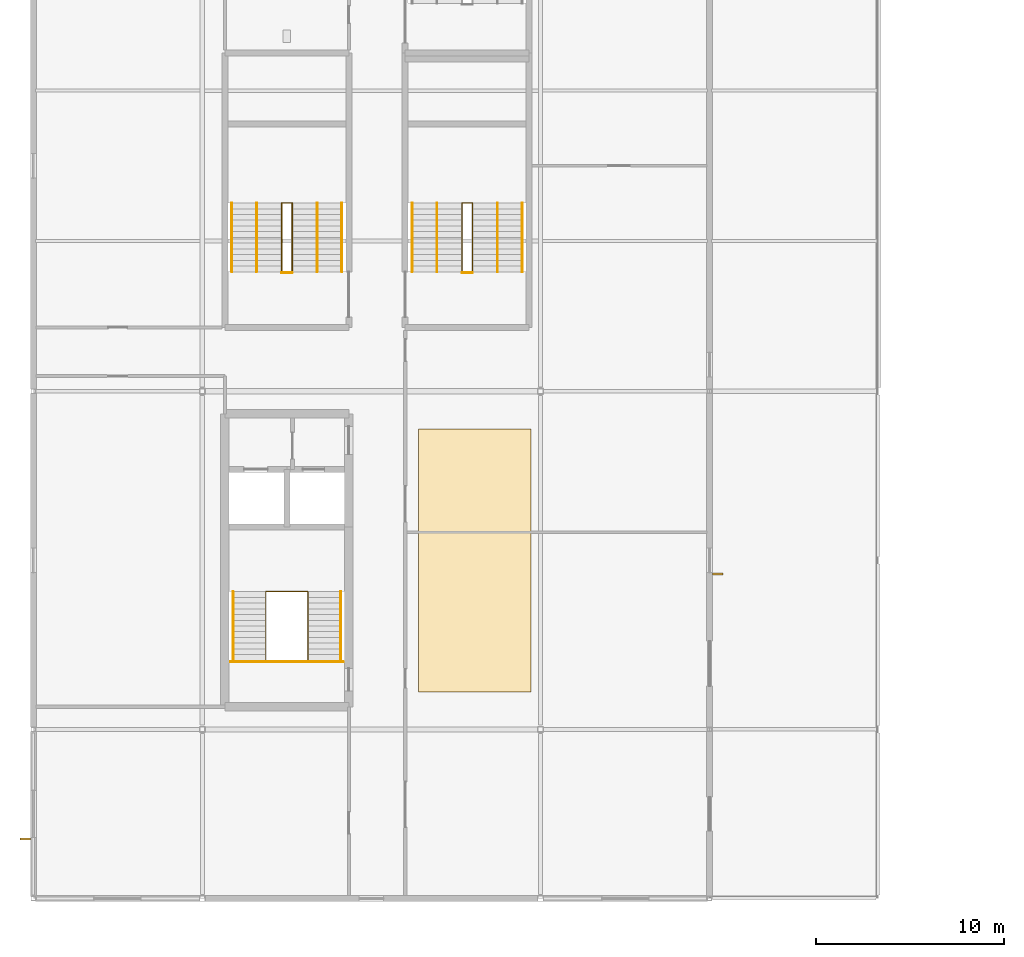
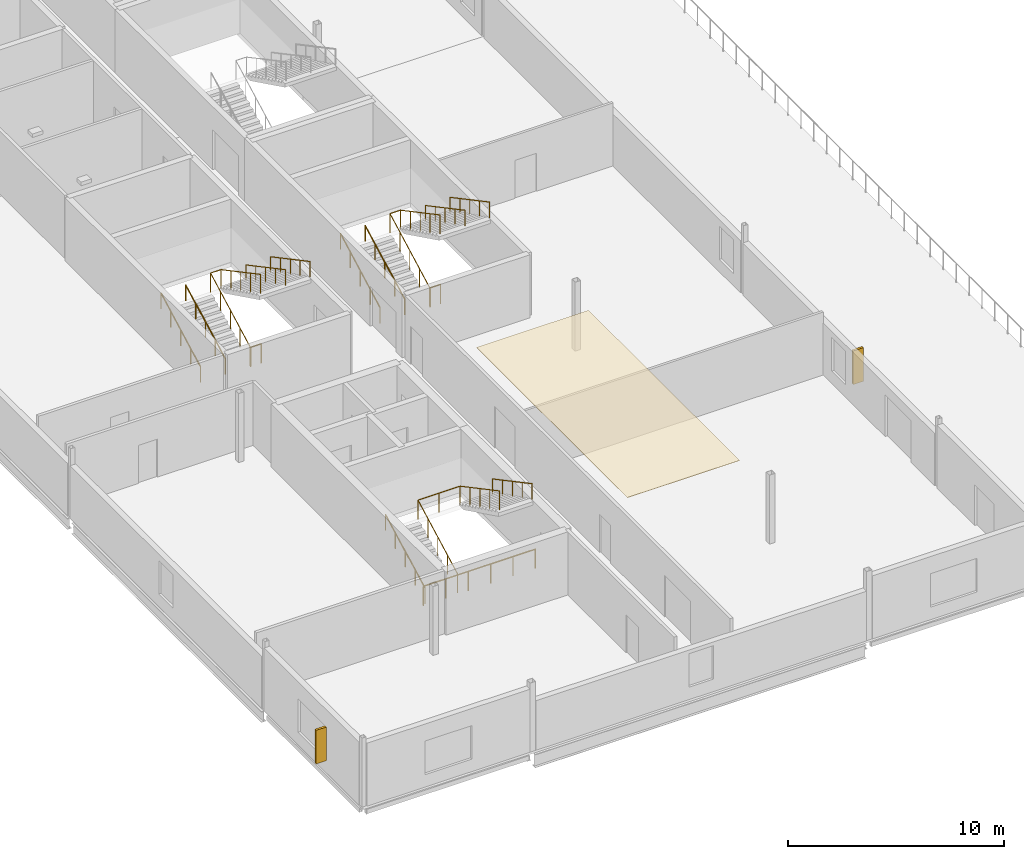
# One storey, part 47 of 55: 16 railings, 2 shading devices, 1 covering.
"""IFC4 building model written with IfcOpenShell, lengths in metres."""

from ifc_helpers import new_model, si_unit, direction, frame, origin, origin_2d, place, context, subcontext, project, spatial, polyline, rectangle, circle, outline, extrude, material, layer, layer_set, type_object, element, save


model = new_model("IFC4")

# Units and contexts
model_context = context("Model", 3, precision=1e-05, world=origin(), true_north=direction((0.0, 1.0)))
body_context = subcontext(model_context, "Body", "Model", "MODEL_VIEW")
ifc_project = project(units=[si_unit("LENGTHUNIT", "METRE"), si_unit("AREAUNIT", "SQUARE_METRE"), si_unit("VOLUMEUNIT", "CUBIC_METRE"), si_unit("PLANEANGLEUNIT", "RADIAN"), si_unit("MASSUNIT", "GRAM", prefix="KILO")], contexts=[model_context])

# Site, building, storey
site_placement = place(None, origin())
site = spatial("IfcSite", under=ifc_project, at=site_placement, CompositionType="ELEMENT")
building_placement = place(site_placement, origin())
building = spatial("IfcBuilding", under=site, at=building_placement, Name="Kisiwana Market Hall", CompositionType="ELEMENT")
storey_placement = place(building_placement, frame((0.0, 0.0, 37.800048828125)))
storey = spatial("IfcBuildingStorey", under=building, at=storey_placement, Name="L08", CompositionType="ELEMENT", Elevation=37.800048828125)

# Covering
ifc_material_1 = material(Name="Mineral-fibre acoustic ceiling board")
ifc_layer = layer(ifc_material_1, 0.02490234375)
ifc_layer_set = layer_set([ifc_layer], Name="COV-CEIL-AC")
covering_type = type_object("IfcCoveringType", Name="COV-CEIL-AC", PredefinedType="CEILING", material=ifc_layer_set)
covering_placement = place(storey_placement, frame((0.0, 0.0, 3.5400390625)))
element("IfcCovering", 1, at=covering_placement, inside=storey, type_object=covering_type, Name="Acoustic ceiling grid L08-021", PredefinedType="CEILING", context=body_context, shape_type="SweptSolid", body=[
    extrude(outline(polyline([(20.5, 20.0), (26.5, 20.0), (26.5, 34.0), (20.5, 34.0), (20.5, 20.0)])), origin(), (0.0, 0.0, 1.0), 0.02490234375),
])

# Railings
ifc_material_2 = material(Name="Steel S275", Category="steel")
railing_type_1 = type_object("IfcRailingType", Name="RL-GUARD-1100", PredefinedType="GUARDRAIL", material=ifc_material_2)
railing_1_placement = place(storey_placement, frame((12.375, 21.674560546875, 0.0)))
element("IfcRailing", 2, at=railing_1_placement, inside=storey, type_object=railing_type_1, Name="Stair ST-W2-L08 inner-well guardrail (RL-1131)", PredefinedType="GUARDRAIL", context=body_context, shape_type="SweptSolid", body=[
    extrude(circle(Radius=0.02392578125, at=origin_2d()), frame((0.0, 0.0, 1.076171875), z_axis=(0.0, 0.88255331184, 0.47021234752), x_axis=(-1.0, 0.0, 0.0)), (0.0, 0.0, 1.0), 4.14697265625),
    extrude(circle(Radius=0.02392578125, at=origin_2d()), frame((0.0, 3.659912109375, 3.02587890625), z_axis=(1.0, 0.0, 0.0), x_axis=(0.0, 1.0, 0.0)), (0.0, 0.0, 1.0), 2.25),
    extrude(circle(Radius=0.02392578125, at=origin_2d()), frame((2.25, 3.659912109375, 3.02587890625), z_axis=(0.0, -0.88255331184, 0.47021234752), x_axis=(1.0, 0.0, 0.0)), (0.0, 0.0, 1.0), 4.14697265625),
    extrude(circle(Radius=0.02099609375, at=origin_2d()), origin(), (0.0, 0.0, 1.0), 1.052001953125),
    extrude(circle(Radius=0.02099609375, at=origin_2d()), frame((0.0, 0.9150390625, 0.487548828125)), (0.0, 0.0, 1.0), 1.052001953125),
    extrude(circle(Radius=0.02099609375, at=origin_2d()), frame((0.0, 1.830078125, 0.97509765625)), (0.0, 0.0, 1.0), 1.052001953125),
    extrude(circle(Radius=0.02099609375, at=origin_2d()), frame((0.0, 2.744873046875, 1.46240234375)), (0.0, 0.0, 1.0), 1.052001953125),
    extrude(circle(Radius=0.02099609375, at=origin_2d()), frame((0.0, 3.659912109375, 1.949951171875)), (0.0, 0.0, 1.0), 1.052001953125),
    extrude(circle(Radius=0.02099609375, at=origin_2d()), frame((1.125, 3.659912109375, 1.949951171875)), (0.0, 0.0, 1.0), 1.052001953125),
    extrude(circle(Radius=0.02099609375, at=origin_2d()), frame((2.25, 3.659912109375, 1.949951171875)), (0.0, 0.0, 1.0), 1.052001953125),
    extrude(circle(Radius=0.02099609375, at=origin_2d()), frame((2.25, 2.744873046875, 2.4375)), (0.0, 0.0, 1.0), 1.052001953125),
    extrude(circle(Radius=0.02099609375, at=origin_2d()), frame((2.25, 1.830078125, 2.9248046875)), (0.0, 0.0, 1.0), 1.052001953125),
    extrude(circle(Radius=0.02099609375, at=origin_2d()), frame((2.25, 0.9150390625, 3.412353515625)), (0.0, 0.0, 1.0), 1.052001953125),
    extrude(circle(Radius=0.02099609375, at=origin_2d()), frame((2.25, 0.0, 3.89990234375)), (0.0, 0.0, 1.0), 1.052001953125),
])
railing_2_placement = place(storey_placement, frame((10.5048828125, 21.594482421875, 0.0)))
element("IfcRailing", 3, at=railing_2_placement, inside=storey, type_object=railing_type_1, Name="Stair ST-W2-L08 landing edge guardrail (RL-1134)", PredefinedType="GUARDRAIL", context=body_context, shape_type="SweptSolid", body=[
    extrude(circle(Radius=0.02392578125, at=origin_2d()), frame((0.0, 0.0, 1.076171875), z_axis=(1.0, 0.0, 0.0), x_axis=(0.0, 1.0, 0.0)), (0.0, 0.0, 1.0), 5.990234375),
    extrude(circle(Radius=0.02099609375, at=origin_2d()), origin(), (0.0, 0.0, 1.0), 1.052001953125),
    extrude(circle(Radius=0.02099609375, at=origin_2d()), frame((1.197998046875, 0.0, 0.0)), (0.0, 0.0, 1.0), 1.052001953125),
    extrude(circle(Radius=0.02099609375, at=origin_2d()), frame((2.39599609375, 0.0, 0.0)), (0.0, 0.0, 1.0), 1.052001953125),
    extrude(circle(Radius=0.02099609375, at=origin_2d()), frame((3.59423828125, 0.0, 0.0)), (0.0, 0.0, 1.0), 1.052001953125),
    extrude(circle(Radius=0.02099609375, at=origin_2d()), frame((4.792236328125, 0.0, 0.0)), (0.0, 0.0, 1.0), 1.052001953125),
    extrude(circle(Radius=0.02099609375, at=origin_2d()), frame((5.990234375, 0.0, 0.0)), (0.0, 0.0, 1.0), 1.052001953125),
])
railing_3_placement = place(storey_placement, frame((13.219970703125, 42.360107421875, 0.0)))
element("IfcRailing", 4, at=railing_3_placement, inside=storey, type_object=railing_type_1, Name="Stair ST-W3-L08 inner-well guardrail (RL-1147)", PredefinedType="GUARDRAIL", context=body_context, shape_type="SweptSolid", body=[
    extrude(circle(Radius=0.02392578125, at=origin_2d()), frame((0.0, 0.0, 1.076171875), z_axis=(0.0, 0.88255331184, 0.47021234752), x_axis=(-1.0, 0.0, 0.0)), (0.0, 0.0, 1.0), 4.14697265625),
    extrude(circle(Radius=0.02392578125, at=origin_2d()), frame((0.0, 3.659912109375, 3.02587890625), z_axis=(1.0, 0.0, 0.0), x_axis=(0.0, 1.0, 0.0)), (0.0, 0.0, 1.0), 0.56005859375),
    extrude(circle(Radius=0.02392578125, at=origin_2d()), frame((0.56005859375, 3.659912109375, 3.02587890625), z_axis=(0.0, -0.88255331184, 0.47021234752), x_axis=(1.0, 0.0, 0.0)), (0.0, 0.0, 1.0), 4.14697265625),
    extrude(circle(Radius=0.02099609375, at=origin_2d()), origin(), (0.0, 0.0, 1.0), 1.052001953125),
    extrude(circle(Radius=0.02099609375, at=origin_2d()), frame((0.0, 0.9150390625, 0.487548828125)), (0.0, 0.0, 1.0), 1.052001953125),
    extrude(circle(Radius=0.02099609375, at=origin_2d()), frame((0.0, 1.830078125, 0.97509765625)), (0.0, 0.0, 1.0), 1.052001953125),
    extrude(circle(Radius=0.02099609375, at=origin_2d()), frame((0.0, 2.744873046875, 1.46240234375)), (0.0, 0.0, 1.0), 1.052001953125),
    extrude(circle(Radius=0.02099609375, at=origin_2d()), frame((0.0, 3.659912109375, 1.949951171875)), (0.0, 0.0, 1.0), 1.052001953125),
    extrude(circle(Radius=0.02099609375, at=origin_2d()), frame((0.56005859375, 3.659912109375, 1.949951171875)), (0.0, 0.0, 1.0), 1.052001953125),
    extrude(circle(Radius=0.02099609375, at=origin_2d()), frame((0.56005859375, 2.744873046875, 2.4375)), (0.0, 0.0, 1.0), 1.052001953125),
    extrude(circle(Radius=0.02099609375, at=origin_2d()), frame((0.56005859375, 1.830078125, 2.9248046875)), (0.0, 0.0, 1.0), 1.052001953125),
    extrude(circle(Radius=0.02099609375, at=origin_2d()), frame((0.56005859375, 0.9150390625, 3.412353515625)), (0.0, 0.0, 1.0), 1.052001953125),
    extrude(circle(Radius=0.02099609375, at=origin_2d()), frame((0.56005859375, 0.0, 3.89990234375)), (0.0, 0.0, 1.0), 1.052001953125),
])
railing_4_placement = place(storey_placement, frame((13.219970703125, 42.31005859375, 0.0)))
element("IfcRailing", 5, at=railing_4_placement, inside=storey, type_object=railing_type_1, Name="Stair ST-W3-L08 landing edge guardrail (RL-1152)", PredefinedType="GUARDRAIL", context=body_context, shape_type="SweptSolid", body=[
    extrude(circle(Radius=0.02392578125, at=origin_2d()), frame((0.0, 0.0, 1.076171875), z_axis=(1.0, 0.0, 0.0), x_axis=(0.0, 1.0, 0.0)), (0.0, 0.0, 1.0), 0.56005859375),
    extrude(circle(Radius=0.02099609375, at=origin_2d()), origin(), (0.0, 0.0, 1.0), 1.052001953125),
    extrude(circle(Radius=0.02099609375, at=origin_2d()), frame((0.56005859375, 0.0, 0.0)), (0.0, 0.0, 1.0), 1.052001953125),
])
railing_5_placement = place(storey_placement, frame((22.820068359375, 42.360107421875, 0.0)))
element("IfcRailing", 6, at=railing_5_placement, inside=storey, type_object=railing_type_1, Name="Stair ST-W7-L08 inner-well guardrail (RL-1171)", PredefinedType="GUARDRAIL", context=body_context, shape_type="SweptSolid", body=[
    extrude(circle(Radius=0.02392578125, at=origin_2d()), frame((0.0, 0.0, 1.076171875), z_axis=(0.0, 0.88255331184, 0.47021234752), x_axis=(-1.0, 0.0, 0.0)), (0.0, 0.0, 1.0), 4.14697265625),
    extrude(circle(Radius=0.02392578125, at=origin_2d()), frame((0.0, 3.659912109375, 3.02587890625), z_axis=(1.0, 0.0, 0.0), x_axis=(0.0, 1.0, 0.0)), (0.0, 0.0, 1.0), 0.559814453125),
    extrude(circle(Radius=0.02392578125, at=origin_2d()), frame((0.559814453125, 3.659912109375, 3.02587890625), z_axis=(0.0, -0.88255331184, 0.47021234752), x_axis=(1.0, 0.0, 0.0)), (0.0, 0.0, 1.0), 4.14697265625),
    extrude(circle(Radius=0.02099609375, at=origin_2d()), origin(), (0.0, 0.0, 1.0), 1.052001953125),
    extrude(circle(Radius=0.02099609375, at=origin_2d()), frame((0.0, 0.9150390625, 0.487548828125)), (0.0, 0.0, 1.0), 1.052001953125),
    extrude(circle(Radius=0.02099609375, at=origin_2d()), frame((0.0, 1.830078125, 0.97509765625)), (0.0, 0.0, 1.0), 1.052001953125),
    extrude(circle(Radius=0.02099609375, at=origin_2d()), frame((0.0, 2.744873046875, 1.46240234375)), (0.0, 0.0, 1.0), 1.052001953125),
    extrude(circle(Radius=0.02099609375, at=origin_2d()), frame((0.0, 3.659912109375, 1.949951171875)), (0.0, 0.0, 1.0), 1.052001953125),
    extrude(circle(Radius=0.02099609375, at=origin_2d()), frame((0.559814453125, 3.659912109375, 1.949951171875)), (0.0, 0.0, 1.0), 1.052001953125),
    extrude(circle(Radius=0.02099609375, at=origin_2d()), frame((0.559814453125, 2.744873046875, 2.4375)), (0.0, 0.0, 1.0), 1.052001953125),
    extrude(circle(Radius=0.02099609375, at=origin_2d()), frame((0.559814453125, 1.830078125, 2.9248046875)), (0.0, 0.0, 1.0), 1.052001953125),
    extrude(circle(Radius=0.02099609375, at=origin_2d()), frame((0.559814453125, 0.9150390625, 3.412353515625)), (0.0, 0.0, 1.0), 1.052001953125),
    extrude(circle(Radius=0.02099609375, at=origin_2d()), frame((0.559814453125, 0.0, 3.89990234375)), (0.0, 0.0, 1.0), 1.052001953125),
])
railing_6_placement = place(storey_placement, frame((22.820068359375, 42.31005859375, 0.0)))
element("IfcRailing", 7, at=railing_6_placement, inside=storey, type_object=railing_type_1, Name="Stair ST-W7-L08 landing edge guardrail (RL-1176)", PredefinedType="GUARDRAIL", context=body_context, shape_type="SweptSolid", body=[
    extrude(circle(Radius=0.02392578125, at=origin_2d()), frame((0.0, 0.0, 1.076171875), z_axis=(1.0, 0.0, 0.0), x_axis=(0.0, 1.0, 0.0)), (0.0, 0.0, 1.0), 0.559814453125),
    extrude(circle(Radius=0.02099609375, at=origin_2d()), origin(), (0.0, 0.0, 1.0), 1.052001953125),
    extrude(circle(Radius=0.02099609375, at=origin_2d()), frame((0.559814453125, 0.0, 0.0)), (0.0, 0.0, 1.0), 1.052001953125),
])
ifc_material_3 = material(Name="Steel S275", Category="steel")
railing_type_2 = type_object("IfcRailingType", Name="RL-HAND-900", PredefinedType="HANDRAIL", material=ifc_material_3)
railing_7_placement = place(storey_placement, frame((10.635009765625, 21.674560546875, 0.0)))
element("IfcRailing", 8, at=railing_7_placement, inside=storey, type_object=railing_type_2, Name="Stair ST-W2-L08 flight 1 handrail (RL-1132)", PredefinedType="HANDRAIL", context=body_context, shape_type="SweptSolid", body=[
    extrude(circle(Radius=0.02392578125, at=origin_2d()), frame((0.0, 0.0, 0.8759765625), z_axis=(0.0, 0.88255331184, 0.47021234752), x_axis=(-1.0, 0.0, 0.0)), (0.0, 0.0, 1.0), 4.14697265625),
    extrude(circle(Radius=0.02099609375, at=origin_2d()), origin(), (0.0, 0.0, 1.0), 0.851806640625),
    extrude(circle(Radius=0.02099609375, at=origin_2d()), frame((0.0, 0.9150390625, 0.487548828125)), (0.0, 0.0, 1.0), 0.851806640625),
    extrude(circle(Radius=0.02099609375, at=origin_2d()), frame((0.0, 1.830078125, 0.97509765625)), (0.0, 0.0, 1.0), 0.851806640625),
    extrude(circle(Radius=0.02099609375, at=origin_2d()), frame((0.0, 2.744873046875, 1.46240234375)), (0.0, 0.0, 1.0), 0.851806640625),
    extrude(circle(Radius=0.02099609375, at=origin_2d()), frame((0.0, 3.659912109375, 1.949951171875)), (0.0, 0.0, 1.0), 0.851806640625),
])
railing_8_placement = place(storey_placement, frame((16.364990234375, 25.33447265625, 1.949951171875)))
element("IfcRailing", 9, at=railing_8_placement, inside=storey, type_object=railing_type_2, Name="Stair ST-W2-L08 flight 2 handrail (RL-1133)", PredefinedType="HANDRAIL", context=body_context, shape_type="SweptSolid", body=[
    extrude(circle(Radius=0.02392578125, at=origin_2d()), frame((0.0, 0.0, 0.8759765625), z_axis=(0.0, -0.88255331184, 0.47021234752), x_axis=(1.0, 0.0, 0.0)), (0.0, 0.0, 1.0), 4.14697265625),
    extrude(circle(Radius=0.02099609375, at=origin_2d()), origin(), (0.0, 0.0, 1.0), 0.851806640625),
    extrude(circle(Radius=0.02099609375, at=origin_2d()), frame((0.0, -0.9150390625, 0.487548828125)), (0.0, 0.0, 1.0), 0.851806640625),
    extrude(circle(Radius=0.02099609375, at=origin_2d()), frame((0.0, -1.830078125, 0.97509765625)), (0.0, 0.0, 1.0), 0.851806640625),
    extrude(circle(Radius=0.02099609375, at=origin_2d()), frame((0.0, -2.744873046875, 1.46240234375)), (0.0, 0.0, 1.0), 0.851806640625),
    extrude(circle(Radius=0.02099609375, at=origin_2d()), frame((0.0, -3.659912109375, 1.949951171875)), (0.0, 0.0, 1.0), 0.851806640625),
])
railing_9_placement = place(storey_placement, frame((10.570068359375, 42.360107421875, 0.0)))
element("IfcRailing", 10, at=railing_9_placement, inside=storey, type_object=railing_type_2, Name="Stair ST-W3-L08 flight 1 handrail (RL-1148)", PredefinedType="HANDRAIL", context=body_context, shape_type="SweptSolid", body=[
    extrude(circle(Radius=0.02392578125, at=origin_2d()), frame((0.0, 0.0, 0.8759765625), z_axis=(0.0, 0.88255331184, 0.47021234752), x_axis=(-1.0, 0.0, 0.0)), (0.0, 0.0, 1.0), 4.14697265625),
    extrude(circle(Radius=0.02099609375, at=origin_2d()), origin(), (0.0, 0.0, 1.0), 0.851806640625),
    extrude(circle(Radius=0.02099609375, at=origin_2d()), frame((0.0, 0.9150390625, 0.487548828125)), (0.0, 0.0, 1.0), 0.851806640625),
    extrude(circle(Radius=0.02099609375, at=origin_2d()), frame((0.0, 1.830078125, 0.97509765625)), (0.0, 0.0, 1.0), 0.851806640625),
    extrude(circle(Radius=0.02099609375, at=origin_2d()), frame((0.0, 2.744873046875, 1.46240234375)), (0.0, 0.0, 1.0), 0.851806640625),
    extrude(circle(Radius=0.02099609375, at=origin_2d()), frame((0.0, 3.659912109375, 1.949951171875)), (0.0, 0.0, 1.0), 0.851806640625),
])
railing_10_placement = place(storey_placement, frame((16.429931640625, 46.02001953125, 1.949951171875)))
element("IfcRailing", 11, at=railing_10_placement, inside=storey, type_object=railing_type_2, Name="Stair ST-W3-L08 flight 2 handrail (RL-1149)", PredefinedType="HANDRAIL", context=body_context, shape_type="SweptSolid", body=[
    extrude(circle(Radius=0.02392578125, at=origin_2d()), frame((0.0, 0.0, 0.8759765625), z_axis=(0.0, -0.88255331184, 0.47021234752), x_axis=(1.0, 0.0, 0.0)), (0.0, 0.0, 1.0), 4.14697265625),
    extrude(circle(Radius=0.02099609375, at=origin_2d()), origin(), (0.0, 0.0, 1.0), 0.851806640625),
    extrude(circle(Radius=0.02099609375, at=origin_2d()), frame((0.0, -0.9150390625, 0.487548828125)), (0.0, 0.0, 1.0), 0.851806640625),
    extrude(circle(Radius=0.02099609375, at=origin_2d()), frame((0.0, -1.830078125, 0.97509765625)), (0.0, 0.0, 1.0), 0.851806640625),
    extrude(circle(Radius=0.02099609375, at=origin_2d()), frame((0.0, -2.744873046875, 1.46240234375)), (0.0, 0.0, 1.0), 0.851806640625),
    extrude(circle(Radius=0.02099609375, at=origin_2d()), frame((0.0, -3.659912109375, 1.949951171875)), (0.0, 0.0, 1.0), 0.851806640625),
])
railing_11_placement = place(storey_placement, frame((11.889892578125, 42.360107421875, 0.0)))
element("IfcRailing", 12, at=railing_11_placement, inside=storey, type_object=railing_type_2, Name="Stair ST-W3-L08 flight 1 intermediate handrail (RL-1150)", PredefinedType="HANDRAIL", context=body_context, shape_type="SweptSolid", body=[
    extrude(circle(Radius=0.02392578125, at=origin_2d()), frame((0.0, 0.0, 0.8759765625), z_axis=(0.0, 0.88255331184, 0.47021234752), x_axis=(-1.0, 0.0, 0.0)), (0.0, 0.0, 1.0), 4.14697265625),
    extrude(circle(Radius=0.02099609375, at=origin_2d()), origin(), (0.0, 0.0, 1.0), 0.851806640625),
    extrude(circle(Radius=0.02099609375, at=origin_2d()), frame((0.0, 0.9150390625, 0.487548828125)), (0.0, 0.0, 1.0), 0.851806640625),
    extrude(circle(Radius=0.02099609375, at=origin_2d()), frame((0.0, 1.830078125, 0.97509765625)), (0.0, 0.0, 1.0), 0.851806640625),
    extrude(circle(Radius=0.02099609375, at=origin_2d()), frame((0.0, 2.744873046875, 1.46240234375)), (0.0, 0.0, 1.0), 0.851806640625),
    extrude(circle(Radius=0.02099609375, at=origin_2d()), frame((0.0, 3.659912109375, 1.949951171875)), (0.0, 0.0, 1.0), 0.851806640625),
])
railing_12_placement = place(storey_placement, frame((15.110107421875, 46.02001953125, 1.949951171875)))
element("IfcRailing", 13, at=railing_12_placement, inside=storey, type_object=railing_type_2, Name="Stair ST-W3-L08 flight 2 intermediate handrail (RL-1151)", PredefinedType="HANDRAIL", context=body_context, shape_type="SweptSolid", body=[
    extrude(circle(Radius=0.02392578125, at=origin_2d()), frame((0.0, 0.0, 0.8759765625), z_axis=(0.0, -0.88255331184, 0.47021234752), x_axis=(1.0, 0.0, 0.0)), (0.0, 0.0, 1.0), 4.14697265625),
    extrude(circle(Radius=0.02099609375, at=origin_2d()), origin(), (0.0, 0.0, 1.0), 0.851806640625),
    extrude(circle(Radius=0.02099609375, at=origin_2d()), frame((0.0, -0.9150390625, 0.487548828125)), (0.0, 0.0, 1.0), 0.851806640625),
    extrude(circle(Radius=0.02099609375, at=origin_2d()), frame((0.0, -1.830078125, 0.97509765625)), (0.0, 0.0, 1.0), 0.851806640625),
    extrude(circle(Radius=0.02099609375, at=origin_2d()), frame((0.0, -2.744873046875, 1.46240234375)), (0.0, 0.0, 1.0), 0.851806640625),
    extrude(circle(Radius=0.02099609375, at=origin_2d()), frame((0.0, -3.659912109375, 1.949951171875)), (0.0, 0.0, 1.0), 0.851806640625),
])
railing_13_placement = place(storey_placement, frame((20.169921875, 42.360107421875, 0.0)))
element("IfcRailing", 14, at=railing_13_placement, inside=storey, type_object=railing_type_2, Name="Stair ST-W7-L08 flight 1 handrail (RL-1172)", PredefinedType="HANDRAIL", context=body_context, shape_type="SweptSolid", body=[
    extrude(circle(Radius=0.02392578125, at=origin_2d()), frame((0.0, 0.0, 0.8759765625), z_axis=(0.0, 0.88255331184, 0.47021234752), x_axis=(-1.0, 0.0, 0.0)), (0.0, 0.0, 1.0), 4.14697265625),
    extrude(circle(Radius=0.02099609375, at=origin_2d()), origin(), (0.0, 0.0, 1.0), 0.851806640625),
    extrude(circle(Radius=0.02099609375, at=origin_2d()), frame((0.0, 0.9150390625, 0.487548828125)), (0.0, 0.0, 1.0), 0.851806640625),
    extrude(circle(Radius=0.02099609375, at=origin_2d()), frame((0.0, 1.830078125, 0.97509765625)), (0.0, 0.0, 1.0), 0.851806640625),
    extrude(circle(Radius=0.02099609375, at=origin_2d()), frame((0.0, 2.744873046875, 1.46240234375)), (0.0, 0.0, 1.0), 0.851806640625),
    extrude(circle(Radius=0.02099609375, at=origin_2d()), frame((0.0, 3.659912109375, 1.949951171875)), (0.0, 0.0, 1.0), 0.851806640625),
])
railing_14_placement = place(storey_placement, frame((26.030029296875, 46.02001953125, 1.949951171875)))
element("IfcRailing", 15, at=railing_14_placement, inside=storey, type_object=railing_type_2, Name="Stair ST-W7-L08 flight 2 handrail (RL-1173)", PredefinedType="HANDRAIL", context=body_context, shape_type="SweptSolid", body=[
    extrude(circle(Radius=0.02392578125, at=origin_2d()), frame((0.0, 0.0, 0.8759765625), z_axis=(0.0, -0.88255331184, 0.47021234752), x_axis=(1.0, 0.0, 0.0)), (0.0, 0.0, 1.0), 4.14697265625),
    extrude(circle(Radius=0.02099609375, at=origin_2d()), origin(), (0.0, 0.0, 1.0), 0.851806640625),
    extrude(circle(Radius=0.02099609375, at=origin_2d()), frame((0.0, -0.9150390625, 0.487548828125)), (0.0, 0.0, 1.0), 0.851806640625),
    extrude(circle(Radius=0.02099609375, at=origin_2d()), frame((0.0, -1.830078125, 0.97509765625)), (0.0, 0.0, 1.0), 0.851806640625),
    extrude(circle(Radius=0.02099609375, at=origin_2d()), frame((0.0, -2.744873046875, 1.46240234375)), (0.0, 0.0, 1.0), 0.851806640625),
    extrude(circle(Radius=0.02099609375, at=origin_2d()), frame((0.0, -3.659912109375, 1.949951171875)), (0.0, 0.0, 1.0), 0.851806640625),
])
railing_15_placement = place(storey_placement, frame((21.489990234375, 42.360107421875, 0.0)))
element("IfcRailing", 16, at=railing_15_placement, inside=storey, type_object=railing_type_2, Name="Stair ST-W7-L08 flight 1 intermediate handrail (RL-1174)", PredefinedType="HANDRAIL", context=body_context, shape_type="SweptSolid", body=[
    extrude(circle(Radius=0.02392578125, at=origin_2d()), frame((0.0, 0.0, 0.8759765625), z_axis=(0.0, 0.88255331184, 0.47021234752), x_axis=(-1.0, 0.0, 0.0)), (0.0, 0.0, 1.0), 4.14697265625),
    extrude(circle(Radius=0.02099609375, at=origin_2d()), origin(), (0.0, 0.0, 1.0), 0.851806640625),
    extrude(circle(Radius=0.02099609375, at=origin_2d()), frame((0.0, 0.9150390625, 0.487548828125)), (0.0, 0.0, 1.0), 0.851806640625),
    extrude(circle(Radius=0.02099609375, at=origin_2d()), frame((0.0, 1.830078125, 0.97509765625)), (0.0, 0.0, 1.0), 0.851806640625),
    extrude(circle(Radius=0.02099609375, at=origin_2d()), frame((0.0, 2.744873046875, 1.46240234375)), (0.0, 0.0, 1.0), 0.851806640625),
    extrude(circle(Radius=0.02099609375, at=origin_2d()), frame((0.0, 3.659912109375, 1.949951171875)), (0.0, 0.0, 1.0), 0.851806640625),
])
railing_16_placement = place(storey_placement, frame((24.7099609375, 46.02001953125, 1.949951171875)))
element("IfcRailing", 17, at=railing_16_placement, inside=storey, type_object=railing_type_2, Name="Stair ST-W7-L08 flight 2 intermediate handrail (RL-1175)", PredefinedType="HANDRAIL", context=body_context, shape_type="SweptSolid", body=[
    extrude(circle(Radius=0.02392578125, at=origin_2d()), frame((0.0, 0.0, 0.8759765625), z_axis=(0.0, -0.88255331184, 0.47021234752), x_axis=(1.0, 0.0, 0.0)), (0.0, 0.0, 1.0), 4.14697265625),
    extrude(circle(Radius=0.02099609375, at=origin_2d()), origin(), (0.0, 0.0, 1.0), 0.851806640625),
    extrude(circle(Radius=0.02099609375, at=origin_2d()), frame((0.0, -0.9150390625, 0.487548828125)), (0.0, 0.0, 1.0), 0.851806640625),
    extrude(circle(Radius=0.02099609375, at=origin_2d()), frame((0.0, -1.830078125, 0.97509765625)), (0.0, 0.0, 1.0), 0.851806640625),
    extrude(circle(Radius=0.02099609375, at=origin_2d()), frame((0.0, -2.744873046875, 1.46240234375)), (0.0, 0.0, 1.0), 0.851806640625),
    extrude(circle(Radius=0.02099609375, at=origin_2d()), frame((0.0, -3.659912109375, 1.949951171875)), (0.0, 0.0, 1.0), 0.851806640625),
])

# Shading devices
ifc_material_4 = material(Name="Aluminium alloy 6063-T6", Category="aluminium")
shading_device_type = type_object("IfcShadingDeviceType", Name="SHD-SHUTTER-V", PredefinedType="SHUTTER", material=ifc_material_4)
for number, where, z_axis, x_axis, name in (
    (18, (-0.4326171875, 12.169921875, 0.699951171875), (0.0, 0.0, 1.0), (0.0, 1.0, 0.0), "Vertical solar fin SHD-181 SD-180"),
    (19, (36.4326171875, 26.27001953125, 0.699951171875), (0.0, 0.0, 1.0), (0.0, 1.0, 0.0), "Vertical solar fin SHD-183 SD-182"),
):
    element("IfcShadingDevice", number, at=place(storey_placement, frame(where, z_axis=z_axis, x_axis=x_axis)), inside=storey, type_object=shading_device_type, Name=name, PredefinedType="SHUTTER", context=body_context, shape_type="SweptSolid", body=[
        extrude(rectangle(XDim=0.1201171875, YDim=0.550048828125, at=origin_2d()), origin(), (0.0, 0.0, 1.0), 1.89990234375),
    ])

save(model, "model.ifc")
